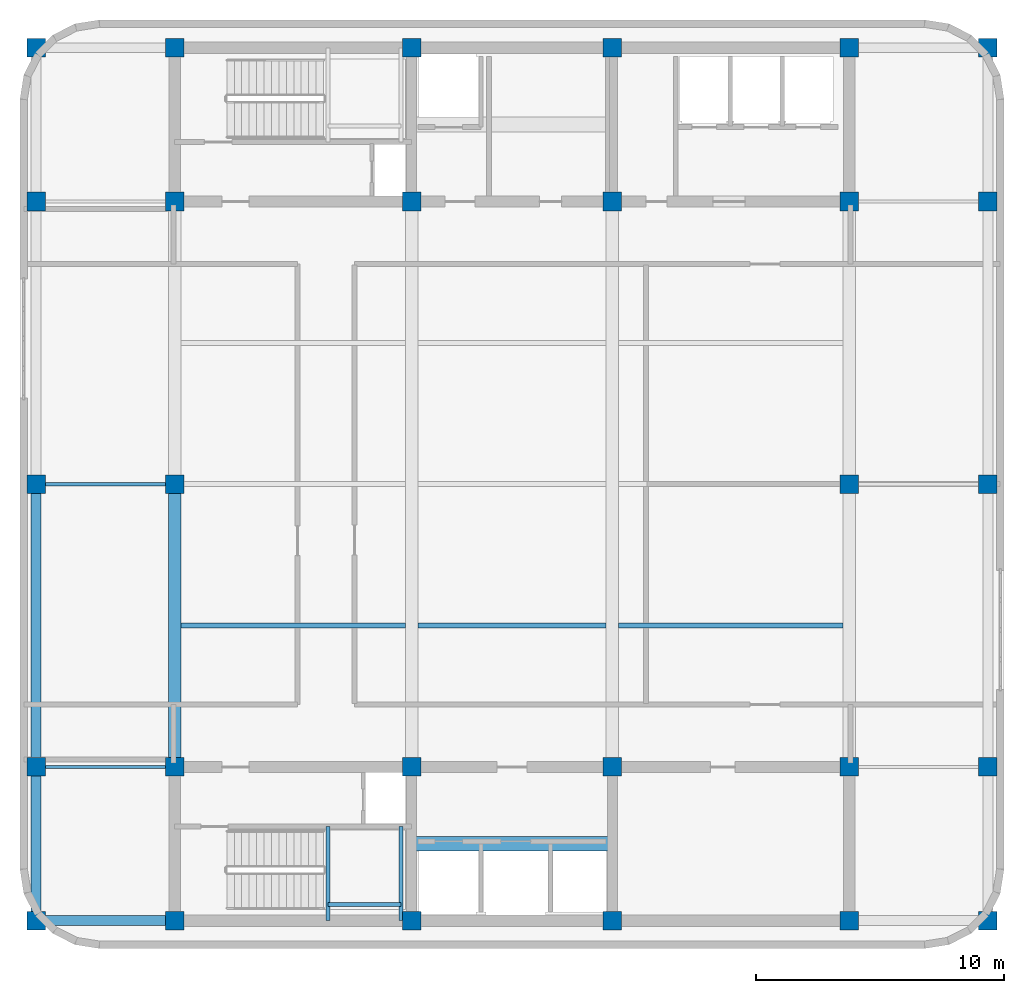
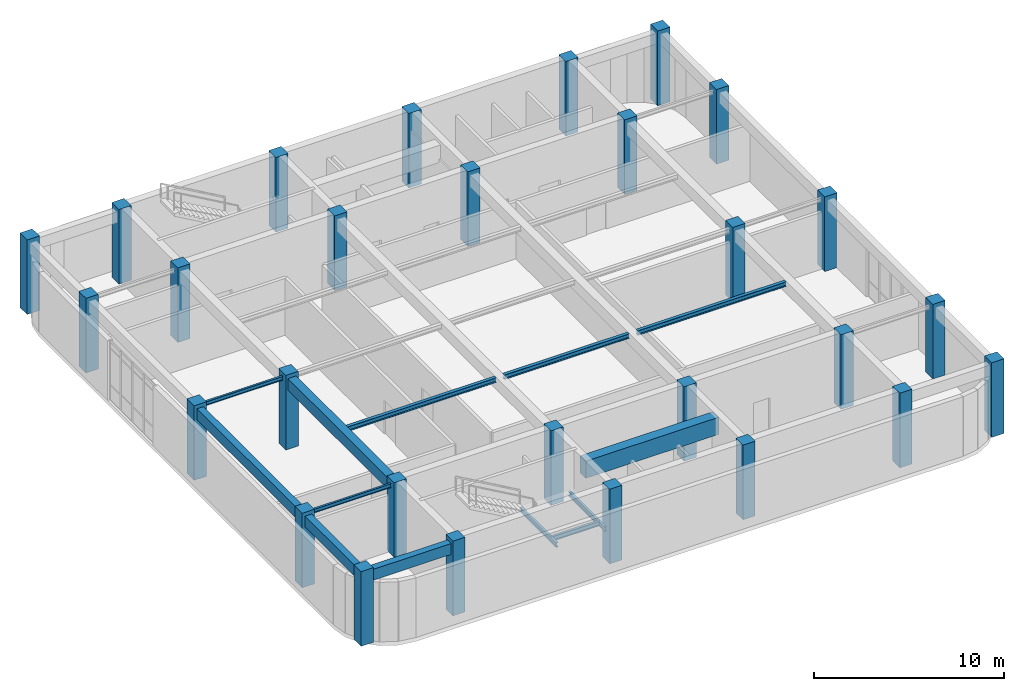
# One storey, part 1 of 7: 28 columns, 13 beams.
"""IFC4 building model written with IfcOpenShell, lengths in metres."""

from ifc_helpers import new_model, si_unit, direction, frame, origin, origin_2d, place, context, subcontext, project, spatial, rectangle, i_section, extrude, material, material_profile, profile_set, type_object, element, save


model = new_model("IFC4")

# Units and contexts
model_context = context("Model", 3, precision=1e-05, world=origin(), true_north=direction((0.0, 1.0)))
body_context = subcontext(model_context, "Body", "Model", "MODEL_VIEW")
ifc_project = project(units=[si_unit("LENGTHUNIT", "METRE"), si_unit("AREAUNIT", "SQUARE_METRE"), si_unit("VOLUMEUNIT", "CUBIC_METRE"), si_unit("PLANEANGLEUNIT", "RADIAN"), si_unit("MASSUNIT", "GRAM", prefix="KILO")], contexts=[model_context])

# Site, building, storey
site_placement = place(None, origin())
site = spatial("IfcSite", under=ifc_project, at=site_placement, CompositionType="ELEMENT")
building_placement = place(site_placement, origin())
building = spatial("IfcBuilding", under=site, at=building_placement, Name="Svetorya Sky Lyceum", CompositionType="ELEMENT")
storey_placement = place(building_placement, frame((0.0, 0.0, 255.39990234375)))
storey = spatial("IfcBuildingStorey", under=building, at=storey_placement, Name="L64", CompositionType="ELEMENT", Elevation=255.39990234375)

# Columns
ifc_material_1 = material(Name="Concrete C40/50", Category="concrete")
ifc_material_profile_1 = material_profile(ifc_material_1, rectangle(XDim=0.75, YDim=0.75, at=origin_2d()), Name="RC COL 750x750")
ifc_profile_set_1 = profile_set([ifc_material_profile_1], Name="Concrete C40/50")
column_type = type_object("IfcColumnType", Name="COL-RC-750", PredefinedType="COLUMN", material=ifc_profile_set_1)
for number, where, z_axis, x_axis, name in (
    (1, (25.60009765625, 10.60009765625, 0.0), (0.0, 0.0, 1.0), (1.0, 0.0, 0.0), "L64 Core Column CS-11"),
    (2, (25.60009765625, 16.800048828125, 0.0), (0.0, 0.0, 1.0), (1.0, 0.0, 0.0), "L64 Core Column CS-12"),
    (3, (35.14990234375, 10.60009765625, 0.0), (0.0, 0.0, 1.0), (1.0, 0.0, 0.0), "L64 Core Column CS-21"),
    (4, (35.14990234375, 16.800048828125, 0.0), (0.0, 0.0, 1.0), (1.0, 0.0, 0.0), "L64 Core Column CS-22"),
    (5, (43.25, 10.60009765625, 0.0), (0.0, 0.0, 1.0), (1.0, 0.0, 0.0), "L64 Core Column CS-31"),
    (6, (43.25, 16.800048828125, 0.0), (0.0, 0.0, 1.0), (1.0, 0.0, 0.0), "L64 Core Column CS-32"),
    (7, (52.800048828125, 10.60009765625, 0.0), (0.0, 0.0, 1.0), (1.0, 0.0, 0.0), "L64 Core Column CS-41"),
    (8, (52.800048828125, 16.800048828125, 0.0), (0.0, 0.0, 1.0), (1.0, 0.0, 0.0), "L64 Core Column CS-42"),
    (9, (25.60009765625, 39.60009765625, 0.0), (0.0, 0.0, 1.0), (1.0, 0.0, 0.0), "L64 Core Column CN-11"),
    (10, (25.60009765625, 45.800048828125, 0.0), (0.0, 0.0, 1.0), (1.0, 0.0, 0.0), "L64 Core Column CN-12"),
    (11, (35.14990234375, 39.60009765625, 0.0), (0.0, 0.0, 1.0), (1.0, 0.0, 0.0), "L64 Core Column CN-21"),
    (12, (35.14990234375, 45.800048828125, 0.0), (0.0, 0.0, 1.0), (1.0, 0.0, 0.0), "L64 Core Column CN-22"),
    (13, (43.25, 39.60009765625, 0.0), (0.0, 0.0, 1.0), (1.0, 0.0, 0.0), "L64 Core Column CN-31"),
    (14, (43.25, 45.800048828125, 0.0), (0.0, 0.0, 1.0), (1.0, 0.0, 0.0), "L64 Core Column CN-32"),
    (15, (52.800048828125, 39.60009765625, 0.0), (0.0, 0.0, 1.0), (1.0, 0.0, 0.0), "L64 Core Column CN-41"),
    (16, (52.800048828125, 45.800048828125, 0.0), (0.0, 0.0, 1.0), (1.0, 0.0, 0.0), "L64 Core Column CN-42"),
    (17, (25.60009765625, 28.199951171875, 0.0), (0.0, 0.0, 1.0), (1.0, 0.0, 0.0), "L64 Core Column CM-W"),
    (18, (52.800048828125, 28.199951171875, 0.0), (0.0, 0.0, 1.0), (1.0, 0.0, 0.0), "L64 Core Column CM-E"),
    (19, (20.010009765625, 10.60009765625, 0.0), (0.0, 0.0, 1.0), (1.0, 0.0, 0.0), "L64 Perimeter Column W1"),
    (20, (58.389892578125, 10.60009765625, 0.0), (0.0, 0.0, 1.0), (1.0, 0.0, 0.0), "L64 Perimeter Column E1"),
    (21, (20.010009765625, 16.800048828125, 0.0), (0.0, 0.0, 1.0), (1.0, 0.0, 0.0), "L64 Perimeter Column W2"),
    (22, (58.389892578125, 16.800048828125, 0.0), (0.0, 0.0, 1.0), (1.0, 0.0, 0.0), "L64 Perimeter Column E2"),
    (23, (20.010009765625, 28.199951171875, 0.0), (0.0, 0.0, 1.0), (1.0, 0.0, 0.0), "L64 Perimeter Column W3"),
    (24, (58.389892578125, 28.199951171875, 0.0), (0.0, 0.0, 1.0), (1.0, 0.0, 0.0), "L64 Perimeter Column E3"),
    (25, (20.010009765625, 39.60009765625, 0.0), (0.0, 0.0, 1.0), (1.0, 0.0, 0.0), "L64 Perimeter Column W4"),
    (26, (58.389892578125, 39.60009765625, 0.0), (0.0, 0.0, 1.0), (1.0, 0.0, 0.0), "L64 Perimeter Column E4"),
    (27, (20.010009765625, 45.800048828125, 0.0), (0.0, 0.0, 1.0), (1.0, 0.0, 0.0), "L64 Perimeter Column W5"),
    (28, (58.389892578125, 45.800048828125, 0.0), (0.0, 0.0, 1.0), (1.0, 0.0, 0.0), "L64 Perimeter Column E5"),
):
    element("IfcColumn", number, at=place(storey_placement, frame(where, z_axis=z_axis, x_axis=x_axis)), inside=storey, type_object=column_type, Name=name, PredefinedType="COLUMN", context=body_context, shape_type="SweptSolid", body=[
        extrude(rectangle(XDim=0.75, YDim=0.75, at=origin_2d()), origin(), (0.0, 0.0, 1.0), 4.800048828125),
    ])

# Beams
ifc_material_2 = material(Name="Concrete C60/75", Category="concrete")
ifc_material_profile_2 = material_profile(ifc_material_2, rectangle(XDim=0.60009765625, YDim=1.10009765625, at=origin_2d()), Name="RC COUPLING 600x1100")
ifc_profile_set_2 = profile_set([ifc_material_profile_2], Name="Concrete C60/75")
beam_type_1 = type_object("IfcBeamType", Name="BM-CPL-1100", PredefinedType="LINTEL", material=ifc_profile_set_2)
beam_1_placement = place(storey_placement, frame((35.14990234375, 13.699951171875, 4.0), z_axis=(1.0, 0.0, 0.0), x_axis=(0.0, 1.0, 0.0)))
element("IfcBeam", 29, at=beam_1_placement, inside=storey, type_object=beam_type_1, Name="L64 SC Core Coupling Beam", PredefinedType="LINTEL", context=body_context, shape_type="SweptSolid", body=[
    extrude(rectangle(XDim=0.60009765625, YDim=1.10009765625, at=origin_2d()), origin(), (0.0, 0.0, 1.0), 8.10009765625),
])
ifc_material_3 = material(Name="Concrete C50/60", Category="concrete")
ifc_material_profile_3 = material_profile(ifc_material_3, rectangle(XDim=0.5, YDim=0.75, at=origin_2d()), Name="RC BEAM 500x750")
ifc_profile_set_3 = profile_set([ifc_material_profile_3], Name="Concrete C50/60")
beam_type_2 = type_object("IfcBeamType", Name="BM-RC-750", PredefinedType="BEAM", material=ifc_profile_set_3)
beam_2_placement = place(storey_placement, frame((25.60009765625, 16.800048828125, 4.175048828125), z_axis=(0.0, 1.0, 0.0), x_axis=(-1.0, 0.0, 0.0)))
element("IfcBeam", 30, at=beam_2_placement, inside=storey, type_object=beam_type_2, Name="L64 Central Bay Primary Girder CG-1A", PredefinedType="BEAM", context=body_context, shape_type="SweptSolid", body=[
    extrude(rectangle(XDim=0.5, YDim=0.75, at=origin_2d()), origin(), (0.0, 0.0, 1.0), 11.39990234375),
])
ifc_material_profile_4 = material_profile(ifc_material_3, rectangle(XDim=0.39990234375, YDim=0.699951171875, at=origin_2d()), Name="RC SPANDREL 400x700")
ifc_profile_set_4 = profile_set([ifc_material_profile_4], Name="Concrete C50/60")
beam_type_3 = type_object("IfcBeamType", Name="BM-SPN-700", PredefinedType="SPANDREL", material=ifc_profile_set_4)
beam_3_placement = place(storey_placement, frame((20.010009765625, 10.60009765625, 4.2001953125), z_axis=(1.0, 0.0, 0.0), x_axis=(0.0, 1.0, 0.0)))
element("IfcBeam", 31, at=beam_3_placement, inside=storey, type_object=beam_type_3, Name="L64 Tie Spandrel SW", PredefinedType="SPANDREL", context=body_context, shape_type="SweptSolid", body=[
    extrude(rectangle(XDim=0.39990234375, YDim=0.699951171875, at=origin_2d()), origin(), (0.0, 0.0, 1.0), 5.590087890625),
])
beam_4_placement = place(storey_placement, frame((20.010009765625, 10.60009765625, 4.2001953125), z_axis=(0.0, 1.0, 0.0), x_axis=(-1.0, 0.0, 0.0)))
element("IfcBeam", 32, at=beam_4_placement, inside=storey, type_object=beam_type_3, Name="L64 West Spandrel 1", PredefinedType="SPANDREL", context=body_context, shape_type="SweptSolid", body=[
    extrude(rectangle(XDim=0.39990234375, YDim=0.699951171875, at=origin_2d()), origin(), (0.0, 0.0, 1.0), 6.199951171875),
])
beam_5_placement = place(storey_placement, frame((20.010009765625, 16.800048828125, 4.2001953125), z_axis=(0.0, 1.0, 0.0), x_axis=(-1.0, 0.0, 0.0)))
element("IfcBeam", 33, at=beam_5_placement, inside=storey, type_object=beam_type_3, Name="L64 West Spandrel 2", PredefinedType="SPANDREL", context=body_context, shape_type="SweptSolid", body=[
    extrude(rectangle(XDim=0.39990234375, YDim=0.699951171875, at=origin_2d()), origin(), (0.0, 0.0, 1.0), 11.39990234375),
])
ifc_material_4 = material(Name="Steel S355", Category="steel")
ifc_material_profile_5 = material_profile(ifc_material_4, i_section(OverallWidth=0.1240234375, OverallDepth=0.248046875, WebThickness=0.006103515625, FlangeThickness=0.009521484375, at=origin_2d()), Name="GOST 25B2")
ifc_profile_set_5 = profile_set([ifc_material_profile_5], Name="Steel S355")
beam_type_4 = type_object("IfcBeamType", Name="BM-STL-25B2", PredefinedType="JOIST", material=ifc_profile_set_5)
for number, where, z_axis, x_axis, name in (
    (34, (20.010009765625, 16.800048828125, 4.426025390625), (1.0, 0.0, 0.0), (0.0, 1.0, 0.0), "L64 West Wing Floor Joist W2"),
    (35, (20.010009765625, 28.199951171875, 4.426025390625), (1.0, 0.0, 0.0), (0.0, 1.0, 0.0), "L64 West Wing Floor Joist W3"),
):
    element("IfcBeam", number, at=place(storey_placement, frame(where, z_axis=z_axis, x_axis=x_axis)), inside=storey, type_object=beam_type_4, Name=name, PredefinedType="JOIST", context=body_context, shape_type="SweptSolid", body=[
        extrude(i_section(OverallWidth=0.1240234375, OverallDepth=0.248046875, WebThickness=0.006103515625, FlangeThickness=0.009521484375, at=origin_2d()), origin(), (0.0, 0.0, 1.0), 5.590087890625),
    ])
ifc_material_profile_6 = material_profile(ifc_material_4, i_section(OverallWidth=0.14990234375, OverallDepth=0.299072265625, WebThickness=0.006591796875, FlangeThickness=0.010498046875, at=origin_2d()), Name="GOST 30B2")
ifc_profile_set_6 = profile_set([ifc_material_profile_6], Name="Steel S355")
beam_type_5 = type_object("IfcBeamType", Name="BM-STL-30B2", PredefinedType="JOIST", material=ifc_profile_set_6)
for number, where, z_axis, x_axis, name in (
    (36, (31.780029296875, 10.60009765625, 2.050537109375), (0.0, 1.0, 0.0), (-1.0, 0.0, 0.0), "L64 Stair ST-S Half-Landing Support Beam 72.1"),
    (37, (34.719970703125, 10.60009765625, 2.050537109375), (0.0, 1.0, 0.0), (-1.0, 0.0, 0.0), "L64 Stair ST-S Half-Landing Support Beam 72.2"),
):
    element("IfcBeam", number, at=place(storey_placement, frame(where, z_axis=z_axis, x_axis=x_axis)), inside=storey, type_object=beam_type_5, Name=name, PredefinedType="JOIST", context=body_context, shape_type="SweptSolid", body=[
        extrude(i_section(OverallWidth=0.14990234375, OverallDepth=0.299072265625, WebThickness=0.006591796875, FlangeThickness=0.010498046875, at=origin_2d()), origin(), (0.0, 0.0, 1.0), 3.7998046875),
    ])
beam_6_placement = place(storey_placement, frame((31.780029296875, 11.25, 2.050537109375), z_axis=(1.0, 0.0, 0.0), x_axis=(0.0, 1.0, 0.0)))
element("IfcBeam", 38, at=beam_6_placement, inside=storey, type_object=beam_type_5, Name="L64 Stair ST-S Half-Landing Cross Tie 72", PredefinedType="JOIST", context=body_context, shape_type="SweptSolid", body=[
    extrude(i_section(OverallWidth=0.14990234375, OverallDepth=0.299072265625, WebThickness=0.006591796875, FlangeThickness=0.010498046875, at=origin_2d()), origin(), (0.0, 0.0, 1.0), 2.93994140625),
])
ifc_material_profile_7 = material_profile(ifc_material_4, i_section(OverallWidth=0.199951171875, OverallDepth=0.298095703125, WebThickness=0.008544921875, FlangeThickness=0.012939453125, at=origin_2d()), Name="GOST 30Sh2")
ifc_profile_set_7 = profile_set([ifc_material_profile_7], Name="Steel S355")
beam_type_6 = type_object("IfcBeamType", Name="BM-STL-30SH2", PredefinedType="BEAM", material=ifc_profile_set_7)
beam_7_placement = place(storey_placement, frame((25.85009765625, 22.5, 4.401123046875), z_axis=(1.0, 0.0, 0.0), x_axis=(0.0, 1.0, 0.0)))
element("IfcBeam", 39, at=beam_7_placement, inside=storey, type_object=beam_type_6, Name="L64 Central Floor Joist CJ-1.1", PredefinedType="BEAM", context=body_context, shape_type="SweptSolid", body=[
    extrude(i_section(OverallWidth=0.199951171875, OverallDepth=0.298095703125, WebThickness=0.008544921875, FlangeThickness=0.012939453125, at=origin_2d()), origin(), (0.0, 0.0, 1.0), 9.0498046875),
])
beam_8_placement = place(storey_placement, frame((35.39990234375, 22.5, 4.401123046875), z_axis=(1.0, 0.0, 0.0), x_axis=(0.0, 1.0, 0.0)))
element("IfcBeam", 40, at=beam_8_placement, inside=storey, type_object=beam_type_6, Name="L64 Central Floor Joist CJ-1.2", PredefinedType="BEAM", context=body_context, shape_type="SweptSolid", body=[
    extrude(i_section(OverallWidth=0.199951171875, OverallDepth=0.298095703125, WebThickness=0.008544921875, FlangeThickness=0.012939453125, at=origin_2d()), origin(), (0.0, 0.0, 1.0), 7.60009765625),
])
beam_9_placement = place(storey_placement, frame((43.5, 22.5, 4.401123046875), z_axis=(1.0, 0.0, 0.0), x_axis=(0.0, 1.0, 0.0)))
element("IfcBeam", 41, at=beam_9_placement, inside=storey, type_object=beam_type_6, Name="L64 Central Floor Joist CJ-1.3", PredefinedType="BEAM", context=body_context, shape_type="SweptSolid", body=[
    extrude(i_section(OverallWidth=0.199951171875, OverallDepth=0.298095703125, WebThickness=0.008544921875, FlangeThickness=0.012939453125, at=origin_2d()), origin(), (0.0, 0.0, 1.0), 9.050048828125),
])

save(model, "model.ifc")
